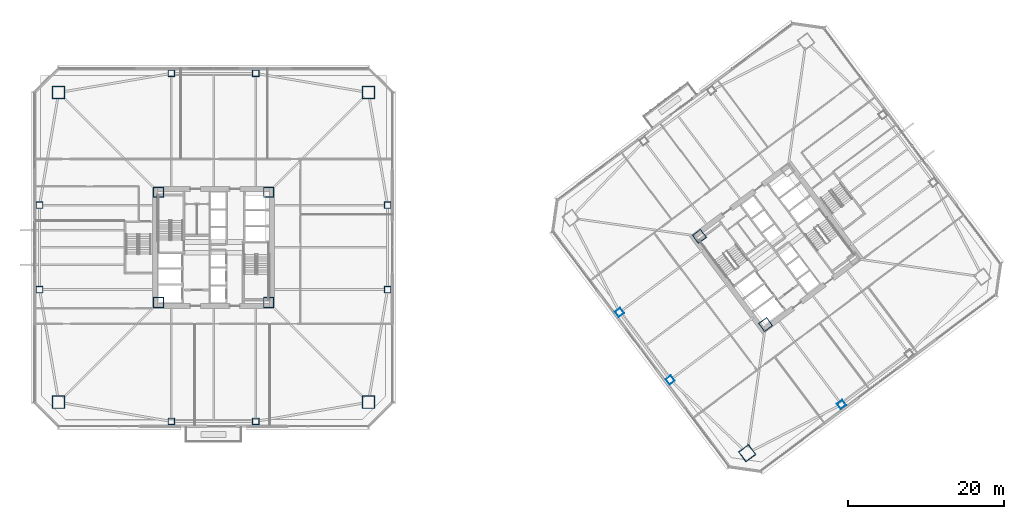
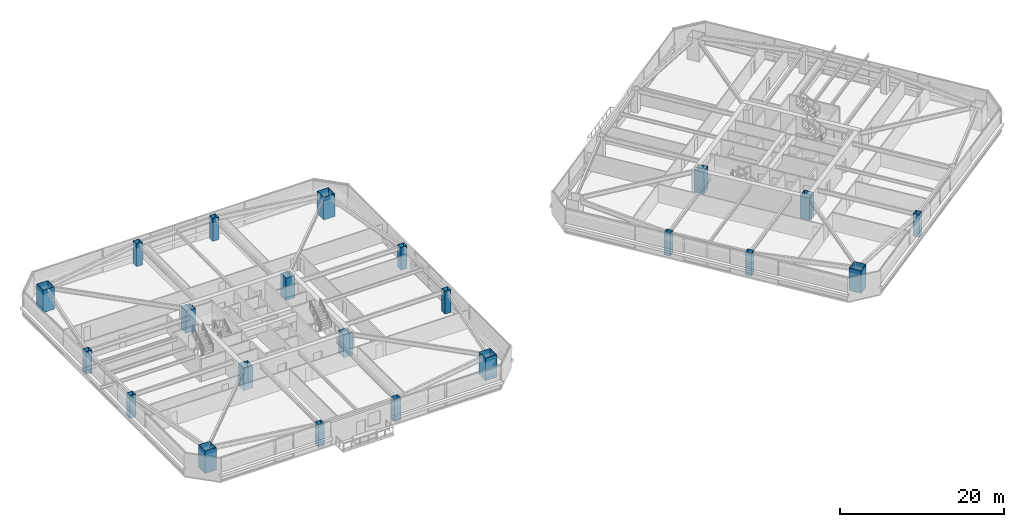
# One storey, part 1 of 46: 22 columns.
"""IFC4 building model written with IfcOpenShell, lengths in metres."""

from ifc_helpers import new_model, si_unit, direction, frame, origin, origin_2d, place, context, subcontext, project, spatial, hollow_rectangle, extrude, material, material_profile, profile_set, type_object, element, save


model = new_model("IFC4")

# Units and contexts
model_context = context("Model", 3, precision=1e-05, world=origin(), true_north=direction((0.0, 1.0)))
body_context = subcontext(model_context, "Body", "Model", "MODEL_VIEW")
ifc_project = project(units=[si_unit("LENGTHUNIT", "METRE"), si_unit("AREAUNIT", "SQUARE_METRE"), si_unit("VOLUMEUNIT", "CUBIC_METRE"), si_unit("PLANEANGLEUNIT", "RADIAN"), si_unit("MASSUNIT", "GRAM", prefix="KILO")], contexts=[model_context])

# Site, building, storey
site_placement = place(None, origin())
site = spatial("IfcSite", under=ifc_project, at=site_placement, CompositionType="ELEMENT")
building_placement = place(site_placement, origin())
building = spatial("IfcBuilding", under=site, at=building_placement, Name="Tashvorn Skyway Center", CompositionType="ELEMENT")
storey_placement = place(building_placement, frame((0.0, 0.0, 38.800048828125)))
storey = spatial("IfcBuildingStorey", under=building, at=storey_placement, Name="L09", CompositionType="ELEMENT", Elevation=38.800048828125)

# Columns
ifc_material = material(Name="Steel ASTM A572 Grade 50", Category="steel")
ifc_material_profile_1 = material_profile(ifc_material, hollow_rectangle(XDim=1.300048828125, YDim=1.300048828125, WallThickness=0.050048828125, at=origin_2d()), Name="BOX1300x1300x50")
ifc_profile_set_1 = profile_set([ifc_material_profile_1], Name="Steel ASTM A572 Grade 50")
column_type_1 = type_object("IfcColumnType", Name="COL-BOX1300x1300x50", PredefinedType="COLUMN", material=ifc_profile_set_1)
for number, where, z_axis, x_axis, name in (
    (1, (34.949951171875, 24.949951171875, 0.0), (0.0, 0.0, 1.0), (1.0, 0.0, 0.0), "Tower 1 L09 Core Corner Column CC-SW"),
    (2, (49.050048828125, 24.949951171875, 0.0), (0.0, 0.0, 1.0), (1.0, 0.0, 0.0), "Tower 1 L09 Core Corner Column CC-SE"),
    (3, (49.050048828125, 39.050048828125, 0.0), (0.0, 0.0, 1.0), (1.0, 0.0, 0.0), "Tower 1 L09 Core Corner Column CC-NE"),
    (4, (34.949951171875, 39.050048828125, 0.0), (0.0, 0.0, 1.0), (1.0, 0.0, 0.0), "Tower 1 L09 Core Corner Column CC-NW"),
    (5, (112.590087890625, 22.1298828125, 0.0), (0.0, 0.0, 1.0), (0.799999996291, 0.600000004945, 0.0), "Tower 2 L09 Core Corner Column CC-SW"),
    (6, (104.1298828125, 33.409912109375, 0.0), (0.0, 0.0, 1.0), (0.799999996291, 0.600000004945, 0.0), "Tower 2 L09 Core Corner Column CC-NW"),
):
    element("IfcColumn", number, at=place(storey_placement, frame(where, z_axis=z_axis, x_axis=x_axis)), inside=storey, type_object=column_type_1, Name=name, PredefinedType="COLUMN", context=body_context, shape_type="SweptSolid", body=[
        extrude(hollow_rectangle(XDim=1.300048828125, YDim=1.300048828125, WallThickness=0.050048828125, at=origin_2d()), origin(), (0.0, 0.0, 1.0), 3.349853515625),
    ])
ifc_material_profile_2 = material_profile(ifc_material, hollow_rectangle(XDim=1.60009765625, YDim=1.60009765625, WallThickness=0.06005859375, at=origin_2d()), Name="BOX1600x1600x60")
ifc_profile_set_2 = profile_set([ifc_material_profile_2], Name="Steel ASTM A572 Grade 50")
column_type_2 = type_object("IfcColumnType", Name="COL-BOX1600x1600x60", PredefinedType="COLUMN", material=ifc_profile_set_2)
for number, where, z_axis, x_axis, name in (
    (7, (22.199951171875, 12.199951171875, 0.0), (0.0, 0.0, 1.0), (1.0, 0.0, 0.0), "Tower 1 L09 Mega-Column MC-SW"),
    (8, (61.800048828125, 12.199951171875, 0.0), (0.0, 0.0, 1.0), (1.0, 0.0, 0.0), "Tower 1 L09 Mega-Column MC-SE"),
    (9, (61.800048828125, 51.800048828125, 0.0), (0.0, 0.0, 1.0), (1.0, 0.0, 0.0), "Tower 1 L09 Mega-Column MC-NE"),
    (10, (22.199951171875, 51.800048828125, 0.0), (0.0, 0.0, 1.0), (1.0, 0.0, 0.0), "Tower 1 L09 Mega-Column MC-NW"),
    (11, (110.239990234375, 5.679931640625, 0.0), (0.0, 0.0, 1.0), (0.799999996291, 0.600000004945, 0.0), "Tower 2 L09 Mega-Column MC-SW"),
):
    element("IfcColumn", number, at=place(storey_placement, frame(where, z_axis=z_axis, x_axis=x_axis)), inside=storey, type_object=column_type_2, Name=name, PredefinedType="COLUMN", context=body_context, shape_type="SweptSolid", body=[
        extrude(hollow_rectangle(XDim=1.60009765625, YDim=1.60009765625, WallThickness=0.06005859375, at=origin_2d()), origin(), (0.0, 0.0, 1.0), 3.349853515625),
    ])
ifc_material_profile_3 = material_profile(ifc_material, hollow_rectangle(XDim=0.85009765625, YDim=0.85009765625, WallThickness=0.034912109375, at=origin_2d()), Name="BOX850x850x35")
ifc_profile_set_3 = profile_set([ifc_material_profile_3], Name="Steel ASTM A572 Grade 50")
column_type_3 = type_object("IfcColumnType", Name="COL-BOX850x850x35", PredefinedType="COLUMN", material=ifc_profile_set_3)
for number, where, z_axis, x_axis, name in (
    (12, (36.60009765625, 9.75, 0.0), (0.0, 0.0, 1.0), (1.0, 0.0, 0.0), "Tower 1 L09 Perimeter Column FC-S1"),
    (13, (47.39990234375, 9.75, 0.0), (0.0, 0.0, 1.0), (1.0, 0.0, 0.0), "Tower 1 L09 Perimeter Column FC-S2"),
    (14, (64.25, 26.60009765625, 0.0), (0.0, 0.0, 1.0), (1.0, 0.0, 0.0), "Tower 1 L09 Perimeter Column FC-E1"),
    (15, (64.25, 37.39990234375, 0.0), (0.0, 0.0, 1.0), (1.0, 0.0, 0.0), "Tower 1 L09 Perimeter Column FC-E2"),
    (16, (47.39990234375, 54.25, 0.0), (0.0, 0.0, 1.0), (1.0, 0.0, 0.0), "Tower 1 L09 Perimeter Column FC-N1"),
    (17, (36.60009765625, 54.25, 0.0), (0.0, 0.0, 1.0), (1.0, 0.0, 0.0), "Tower 1 L09 Perimeter Column FC-N2"),
    (18, (19.75, 37.39990234375, 0.0), (0.0, 0.0, 1.0), (1.0, 0.0, 0.0), "Tower 1 L09 Perimeter Column FC-W1"),
    (19, (19.75, 26.60009765625, 0.0), (0.0, 0.0, 1.0), (1.0, 0.0, 0.0), "Tower 1 L09 Perimeter Column FC-W2"),
    (20, (122.31005859375, 11.919921875, 0.0), (0.0, 0.0, 1.0), (0.799999996291, 0.600000004945, 0.0), "Tower 2 L09 Perimeter Column FC-S1"),
    (21, (93.919921875, 23.68994140625, 0.0), (0.0, 0.0, 1.0), (0.799999996291, 0.600000004945, 0.0), "Tower 2 L09 Perimeter Column FC-W1"),
    (22, (100.39990234375, 15.050048828125, 0.0), (0.0, 0.0, 1.0), (0.799999996291, 0.600000004945, 0.0), "Tower 2 L09 Perimeter Column FC-W2"),
):
    element("IfcColumn", number, at=place(storey_placement, frame(where, z_axis=z_axis, x_axis=x_axis)), inside=storey, type_object=column_type_3, Name=name, PredefinedType="COLUMN", context=body_context, shape_type="SweptSolid", body=[
        extrude(hollow_rectangle(XDim=0.85009765625, YDim=0.85009765625, WallThickness=0.034912109375, at=origin_2d()), origin(), (0.0, 0.0, 1.0), 3.349853515625),
    ])

save(model, "model.ifc")
